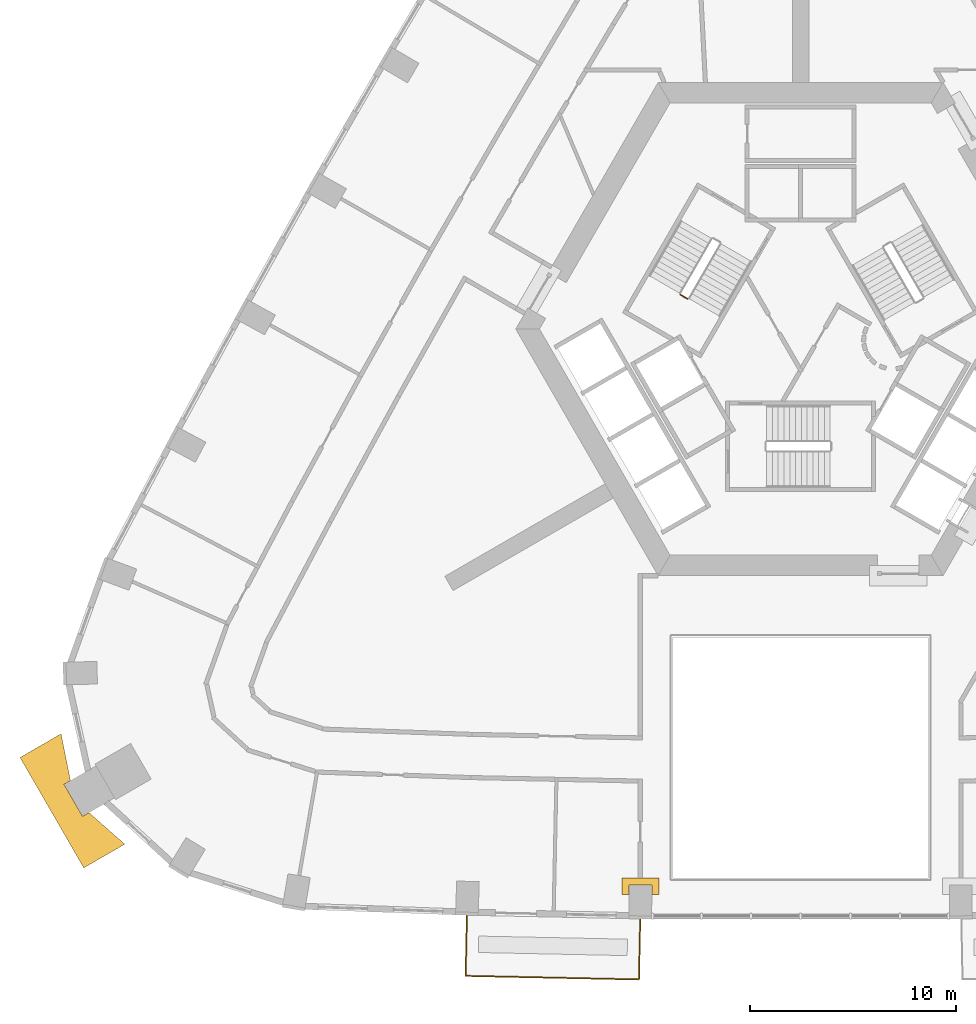
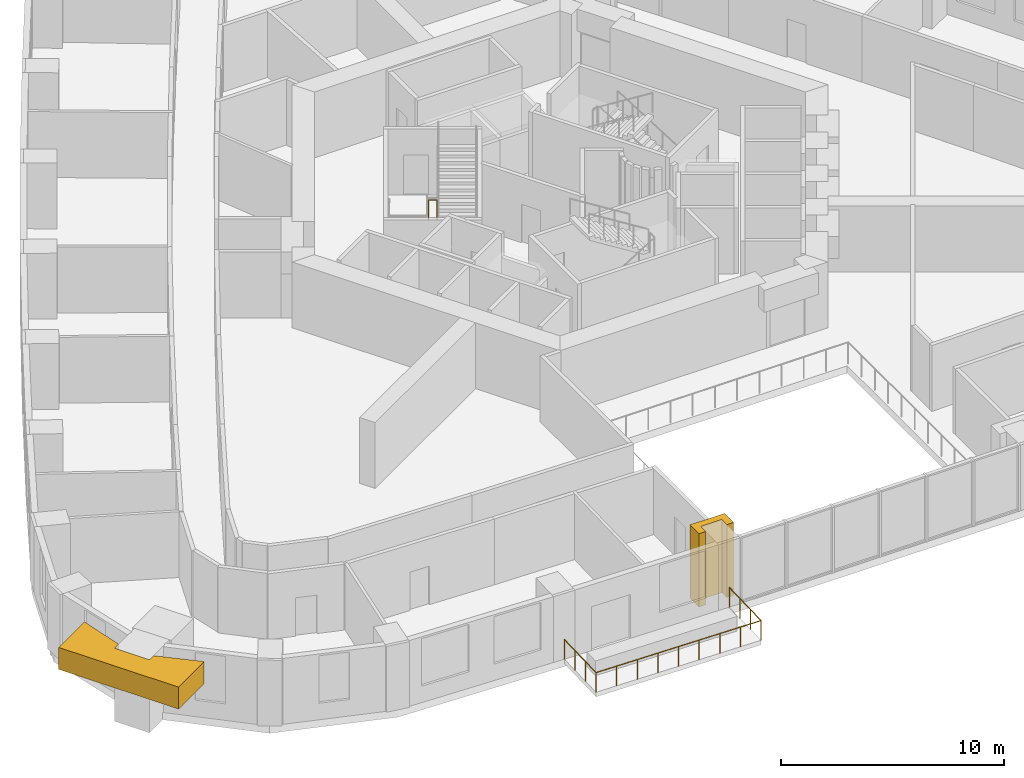
# One storey, part 12 of 14: 2 coverings, 2 railings.
"""IFC4 building model written with IfcOpenShell, lengths in metres."""

from ifc_helpers import new_model, si_unit, direction, frame, origin, origin_2d, place, context, subcontext, project, spatial, polyline, circle, outline, extrude, material, type_object, element, save


model = new_model("IFC4")

# Units and contexts
model_context = context("Model", 3, precision=1e-05, world=origin(), true_north=direction((0.0, 1.0)))
body_context = subcontext(model_context, "Body", "Model", "MODEL_VIEW")
ifc_project = project(units=[si_unit("LENGTHUNIT", "METRE"), si_unit("AREAUNIT", "SQUARE_METRE"), si_unit("VOLUMEUNIT", "CUBIC_METRE"), si_unit("PLANEANGLEUNIT", "RADIAN"), si_unit("MASSUNIT", "GRAM", prefix="KILO")], contexts=[model_context])

# Site, building, storey
site_placement = place(None, origin())
site = spatial("IfcSite", under=ifc_project, at=site_placement, CompositionType="ELEMENT")
building_placement = place(site_placement, origin())
building = spatial("IfcBuilding", under=site, at=building_placement, Name="Entoto Arch Interchange Tower", CompositionType="ELEMENT")
storey_placement = place(building_placement, frame((0.0, 0.0, 180.199951171875)))
storey = spatial("IfcBuildingStorey", under=building, at=storey_placement, Name="L40", CompositionType="ELEMENT", Elevation=180.199951171875)

# Railing
ifc_material_1 = material(Name="Stainless steel 1.4301", Category="steel")
railing_type_1 = type_object("IfcRailingType", Name="GUARD 1100 STEEL AND GLASS", PredefinedType="GUARDRAIL", material=ifc_material_1)
railing_1_placement = place(storey_placement, frame((-16.23388671875, -26.012939453125, 0.0)))
element("IfcRailing", 1, at=railing_1_placement, inside=storey, type_object=railing_type_1, Name="Balcony guard S-02 L40", PredefinedType="GUARDRAIL", context=body_context, shape_type="SweptSolid", body=[
    extrude(circle(Radius=0.02392578125, at=origin_2d()), frame((0.0, 0.0, 1.076171875), z_axis=(-0.021023583155, -0.999778980051, 0.0), x_axis=(0.999778980051, -0.021023583155, 0.0)), (0.0, 0.0, 1.0), 2.94970703125),
    extrude(circle(Radius=0.02392578125, at=origin_2d()), frame((-0.06201171875, -2.948974609375, 1.076171875), z_axis=(0.999782264983, -0.020866782836, 0.0), x_axis=(0.020866782836, 0.999782264983, 0.0)), (0.0, 0.0, 1.0), 8.435791015625),
    extrude(circle(Radius=0.02392578125, at=origin_2d()), frame((8.371826171875, -3.125, 1.076171875), z_axis=(0.021023583155, 0.999778980051, 0.0), x_axis=(-0.999778980051, 0.021023583155, 0.0)), (0.0, 0.0, 1.0), 2.94970703125),
    extrude(circle(Radius=0.02099609375, at=origin_2d()), origin(), (0.0, 0.0, 1.0), 1.052001953125),
    extrude(circle(Radius=0.02099609375, at=origin_2d()), frame((-0.020751953125, -0.98291015625, 0.0)), (0.0, 0.0, 1.0), 1.052001953125),
    extrude(circle(Radius=0.02099609375, at=origin_2d()), frame((-0.041259765625, -1.966064453125, 0.0)), (0.0, 0.0, 1.0), 1.052001953125),
    extrude(circle(Radius=0.02099609375, at=origin_2d()), frame((-0.06201171875, -2.948974609375, 0.0)), (0.0, 0.0, 1.0), 1.052001953125),
    extrude(circle(Radius=0.02099609375, at=origin_2d()), frame((0.9921875, -2.970947265625, 0.0)), (0.0, 0.0, 1.0), 1.052001953125),
    extrude(circle(Radius=0.02099609375, at=origin_2d()), frame((2.04638671875, -2.992919921875, 0.0)), (0.0, 0.0, 1.0), 1.052001953125),
    extrude(circle(Radius=0.02099609375, at=origin_2d()), frame((3.1005859375, -3.014892578125, 0.0)), (0.0, 0.0, 1.0), 1.052001953125),
    extrude(circle(Radius=0.02099609375, at=origin_2d()), frame((4.15478515625, -3.037109375, 0.0)), (0.0, 0.0, 1.0), 1.052001953125),
    extrude(circle(Radius=0.02099609375, at=origin_2d()), frame((5.209228515625, -3.05908203125, 0.0)), (0.0, 0.0, 1.0), 1.052001953125),
    extrude(circle(Radius=0.02099609375, at=origin_2d()), frame((6.263427734375, -3.0810546875, 0.0)), (0.0, 0.0, 1.0), 1.052001953125),
    extrude(circle(Radius=0.02099609375, at=origin_2d()), frame((7.317626953125, -3.10302734375, 0.0)), (0.0, 0.0, 1.0), 1.052001953125),
    extrude(circle(Radius=0.02099609375, at=origin_2d()), frame((8.371826171875, -3.125, 0.0)), (0.0, 0.0, 1.0), 1.052001953125),
    extrude(circle(Radius=0.02099609375, at=origin_2d()), frame((8.392578125, -2.14208984375, 0.0)), (0.0, 0.0, 1.0), 1.052001953125),
    extrude(circle(Radius=0.02099609375, at=origin_2d()), frame((8.4130859375, -1.158935546875, 0.0)), (0.0, 0.0, 1.0), 1.052001953125),
    extrude(circle(Radius=0.02099609375, at=origin_2d()), frame((8.433837890625, -0.176025390625, 0.0)), (0.0, 0.0, 1.0), 1.052001953125),
])

# Coverings
ifc_material_2 = material(Name="Board-marked precast concrete C50/60", Category="concrete")
covering_type = type_object("IfcCoveringType", Name="PRECAST FRAME COURSE", PredefinedType="CLADDING", material=ifc_material_2)
covering_1_placement = place(storey_placement, frame((0.0, 0.0, 2.400146484375)))
element("IfcCovering", 2, at=covering_1_placement, inside=storey, type_object=covering_type, Name="Corner pilaster head SW L39-L40", PredefinedType="CLADDING", context=body_context, shape_type="SweptSolid", body=[
    extrude(outline(polyline([(-34.867919921875, -23.7099609375), (-37.968017578125, -18.340087890625), (-35.970947265625, -17.18701171875), (-35.511962890625, -19.462890625), (-35.827880859375, -19.64599609375), (-34.927978515625, -21.2041015625), (-34.612060546875, -21.02197265625), (-32.87109375, -22.556884765625), (-34.867919921875, -23.7099609375)])), origin(), (0.0, 0.0, 1.0), 1.199951171875),
])
covering_2_placement = place(storey_placement, frame((0.0, 0.0, -0.39990234375)))
element("IfcCovering", 3, at=covering_2_placement, inside=storey, type_object=covering_type, Name="Gate pier L40", PredefinedType="CLADDING", context=body_context, shape_type="SweptSolid", body=[
    extrude(outline(polyline([(-8.68896484375, -24.18896484375), (-6.888916015625, -24.18896484375), (-6.888916015625, -24.9990234375), (-7.239013671875, -24.9990234375), (-7.239013671875, -24.5390625), (-8.339111328125, -24.5390625), (-8.339111328125, -24.9990234375), (-8.68896484375, -24.9990234375), (-8.68896484375, -24.18896484375)])), origin(), (0.0, 0.0, 1.0), 4.0),
])

# Railing
railing_type_2 = type_object("IfcRailingType", Name="STAIR GUARD 1100 STEEL", PredefinedType="GUARDRAIL", material=ifc_material_1)
railing_2_placement = place(storey_placement, frame((-5.849609375, 4.168212890625, 2.10009765625)))
element("IfcRailing", 4, at=railing_2_placement, inside=storey, type_object=railing_type_2, Name="L40 ST-NW stair guard 2", PredefinedType="GUARDRAIL", context=body_context, shape_type="SweptSolid", body=[
    extrude(circle(Radius=0.02392578125, at=origin_2d()), frame((0.0, 0.0, 1.076171875), z_axis=(0.866094119867, -0.499880961361, 0.0), x_axis=(0.499880961361, 0.866094119867, 0.0)), (0.0, 0.0, 1.0), 0.39990234375),
    extrude(circle(Radius=0.02099609375, at=origin_2d()), origin(), (0.0, 0.0, 1.0), 1.052001953125),
    extrude(circle(Radius=0.02099609375, at=origin_2d()), frame((0.346435546875, -0.199951171875, 0.0)), (0.0, 0.0, 1.0), 1.052001953125),
])

save(model, "model.ifc")
